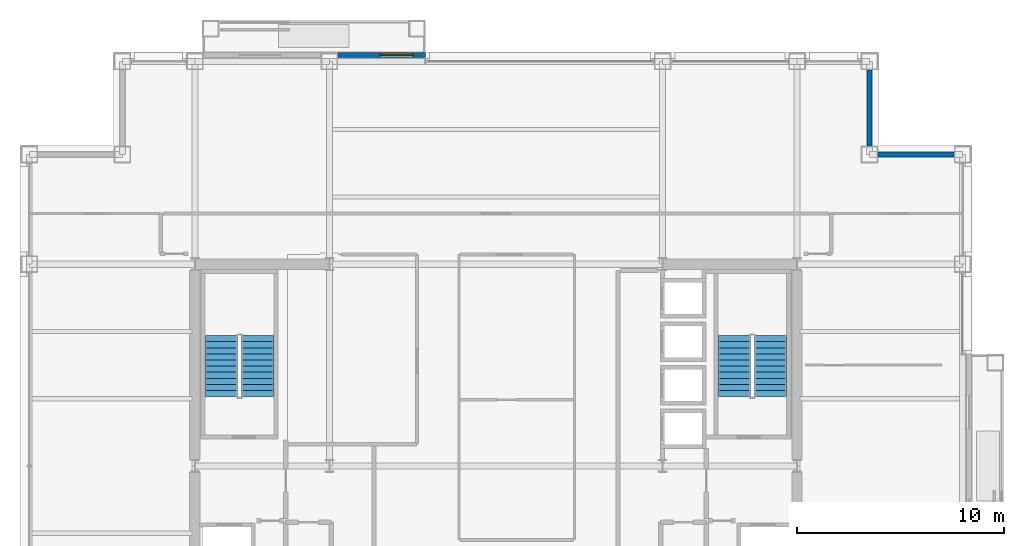
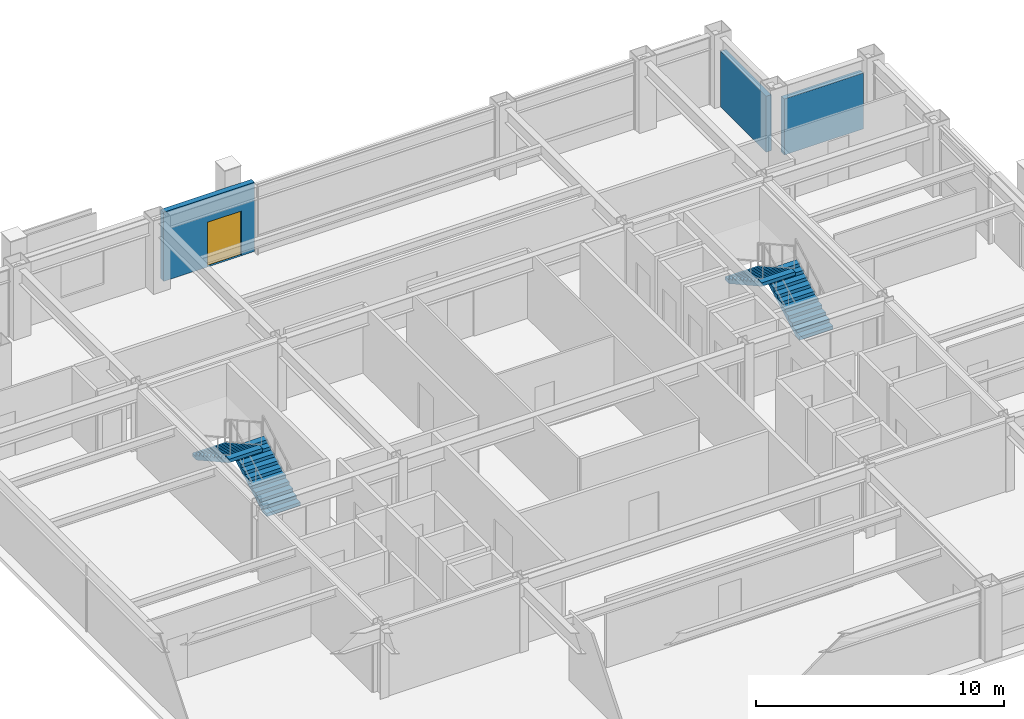
# One storey, part 27 of 29: 4 stair flights, 3 walls, 1 door, 1 opening, 2 elements without a shape of their own.
"""IFC4 building model written with IfcOpenShell, lengths in metres."""

from ifc_helpers import new_model, si_unit, direction, frame, frame_2d, origin, place, context, subcontext, project, spatial, polyline, rectangle, outline, extrude, material, layer, layer_set, type_object, element, fill, aggregate, save


model = new_model("IFC4")

# Units and contexts
model_context = context("Model", 3, precision=1e-05, world=origin(), true_north=direction((0.0, 1.0)))
body_context = subcontext(model_context, "Body", "Model", "MODEL_VIEW")
ifc_project = project(units=[si_unit("LENGTHUNIT", "METRE"), si_unit("AREAUNIT", "SQUARE_METRE"), si_unit("VOLUMEUNIT", "CUBIC_METRE"), si_unit("PLANEANGLEUNIT", "RADIAN"), si_unit("MASSUNIT", "GRAM", prefix="KILO")], contexts=[model_context])

# Site, building, storey
site_placement = place(None, origin())
site = spatial("IfcSite", under=ifc_project, at=site_placement, CompositionType="ELEMENT")
building_placement = place(site_placement, origin())
building = spatial("IfcBuilding", under=site, at=building_placement, Name="Brelmoor Portico Tower", CompositionType="ELEMENT")
storey_placement = place(building_placement, frame((0.0, 0.0, 127.800048828125)))
storey = spatial("IfcBuildingStorey", under=building, at=storey_placement, Name="L33", CompositionType="ELEMENT", Elevation=127.800048828125)

# Wall, opening, door
ifc_material_1 = material(Name="Precast Concrete C40 Insulated Facade Wall", Category="concrete")
ifc_layer = layer(ifc_material_1, 0.25)
ifc_layer_set = layer_set([ifc_layer], Name="Precast Concrete C40 Insulated Facade Wall")
wall_type = type_object("IfcWallType", Name="WL-EXT-250", PredefinedType="STANDARD", material=ifc_layer_set)
wall_placement = place(storey_placement, frame((-7.6298828125, 19.860107421875, 0.0), z_axis=(0.0, 0.0, 1.0), x_axis=(1.0, 0.0, 0.0)))
wall = element("IfcWall", 1, at=wall_placement, inside=storey, type_object=wall_type, Name="L33 Loggia Threshold Wall N-2", PredefinedType="STANDARD", context=body_context, shape_type="SweptSolid", body=[
    extrude(rectangle(XDim=4.22998046875, YDim=0.25, at=frame_2d((2.114990234375, 0.0))), origin(), (0.0, 0.0, 1.0), 3.39990234375),
])
opening_placement = place(wall_placement, frame((2.030029296875, 0.0, 0.0)))
opening = element("IfcOpeningElement", 2, at=opening_placement, cuts=wall, Name="Opening D-TB1", PredefinedType="OPENING", context=body_context, shape_type="SweptSolid", body=[
    extrude(rectangle(XDim=1.60009765625, YDim=2.199951171875, at=frame_2d((0.800048828125, 1.10009765625))), frame((0.0, 0.135009765625, 0.0), z_axis=(0.0, -1.0, 0.0), x_axis=(1.0, 0.0, 0.0)), (0.0, 0.0, 1.0), 0.27001953125),
])
ifc_material_2 = material(Name="Double-Leaf Thermally Broken Terrace Door", Category="aluminium")
door_type = type_object("IfcDoorType", Name="DR-BALCONY-1600", OperationType="NOTDEFINED", PredefinedType="DOOR", material=ifc_material_2)
door_placement = place(opening_placement, origin())
door = element("IfcDoor", 3, at=door_placement, inside=storey, type_object=door_type, Name="D-1460 L33 Tree Balcony Double Door N", OperationType="DOUBLE_DOOR_SINGLE_SWING", OverallHeight=2.199951171875, OverallWidth=1.60009765625, PredefinedType="DOOR", context=body_context, shape_type="SweptSolid", body=[
    extrude(rectangle(XDim=1.60009765625, YDim=2.199951171875, at=frame_2d((0.800048828125, 1.10009765625))), frame((0.0, 0.02490234375, 0.0), z_axis=(0.0, -1.0, 0.0), x_axis=(1.0, 0.0, 0.0)), (0.0, 0.0, 1.0), 0.050048828125),
])
fill(opening, door)

# Walls
for number, where, z_axis, x_axis, name in (
    (4, (18.4599609375, 15.050048828125, 0.0), (0.0, 0.0, 1.0), (1.0, 0.0, 0.0), "L33 Corner Notch Facade Wall NNEH1"),
    (5, (18.050048828125, 15.4599609375, 0.0), (0.0, 0.0, 1.0), (0.0, 1.0, 0.0), "L33 Corner Notch Facade Wall NNEV1"),
):
    element("IfcWall", number, at=place(storey_placement, frame(where, z_axis=z_axis, x_axis=x_axis)), inside=storey, type_object=wall_type, Name=name, PredefinedType="STANDARD", context=body_context, shape_type="SweptSolid", body=[
        extrude(rectangle(XDim=3.679931640625, YDim=0.25, at=frame_2d((1.83984375, 0.0))), origin(), (0.0, 0.0, 1.0), 2.75),
    ])

# Stair, stair flights
ifc_material_3 = material(Name="Concrete C40", Category="concrete")
stair_type_1 = type_object("IfcStairType", Name="ST-CORE-W", PredefinedType="HALF_TURN_STAIR", material=ifc_material_3)
stair_1_placement = place(storey_placement, origin())
stair_1 = element("IfcStair", 6, at=stair_1_placement, inside=storey, type_object=stair_type_1, Name="L33 Protected Core Exit Stair ST-W", PredefinedType="HALF_TURN_STAIR")
stair_flight_type = type_object("IfcStairFlightType", Name="SF-CORE-1850", PredefinedType="STRAIGHT", material=ifc_material_3)
stair_flight_1_placement = place(storey_placement, frame((-11.510009765625, 3.35009765625, 0.0), z_axis=(0.0, 0.0, 1.0), x_axis=(0.0, 1.0, 0.0)))
stair_flight_1 = element("IfcStairFlight", 7, at=stair_flight_1_placement, type_object=stair_flight_type, Name="ST-W flight 1", NumberOfRisers=11, NumberOfTreads=10, PredefinedType="STRAIGHT", RiserHeight=0.163636364, TreadLength=0.295, context=body_context, shape_type="SweptSolid", body=[
    extrude(outline(polyline([(0.0, 0.0), (0.0, 0.16357421875), (0.294921875, 0.16357421875), (0.294921875, 0.327392578125), (0.590087890625, 0.327392578125), (0.590087890625, 0.490966796875), (0.885009765625, 0.490966796875), (0.885009765625, 0.654541015625), (1.179931640625, 0.654541015625), (1.179931640625, 0.818115234375), (1.47509765625, 0.818115234375), (1.47509765625, 0.98193359375), (1.77001953125, 0.98193359375), (1.77001953125, 1.1455078125), (2.06494140625, 1.1455078125), (2.06494140625, 1.30908203125), (2.360107421875, 1.30908203125), (2.360107421875, 1.47265625), (2.655029296875, 1.47265625), (2.655029296875, 1.636474609375), (2.949951171875, 1.636474609375), (2.949951171875, 1.800048828125), (2.949951171875, 1.46484375), (0.30908203125, 0.0), (0.0, 0.0)])), frame((0.0, 0.780029296875, 0.0), z_axis=(0.0, -1.0, 0.0), x_axis=(1.0, 0.0, 0.0)), (0.0, 0.0, 1.0), 1.56005859375),
])
stair_flight_2_placement = place(storey_placement, frame((-13.27001953125, 6.300048828125, 1.800048828125), z_axis=(0.0, 0.0, 1.0), x_axis=(0.0, -1.0, 0.0)))
stair_flight_2 = element("IfcStairFlight", 8, at=stair_flight_2_placement, type_object=stair_flight_type, Name="ST-W flight 2", NumberOfRisers=11, NumberOfTreads=10, PredefinedType="STRAIGHT", RiserHeight=0.163636364, TreadLength=0.295, context=body_context, shape_type="SweptSolid", body=[
    extrude(outline(polyline([(0.0, 0.0), (0.0, 0.16357421875), (0.294921875, 0.16357421875), (0.294921875, 0.327392578125), (0.590087890625, 0.327392578125), (0.590087890625, 0.490966796875), (0.885009765625, 0.490966796875), (0.885009765625, 0.654541015625), (1.179931640625, 0.654541015625), (1.179931640625, 0.818115234375), (1.47509765625, 0.818115234375), (1.47509765625, 0.98193359375), (1.77001953125, 0.98193359375), (1.77001953125, 1.1455078125), (2.06494140625, 1.1455078125), (2.06494140625, 1.30908203125), (2.360107421875, 1.30908203125), (2.360107421875, 1.47265625), (2.655029296875, 1.47265625), (2.655029296875, 1.636474609375), (2.949951171875, 1.636474609375), (2.949951171875, 1.800048828125), (2.949951171875, 1.46484375), (0.30908203125, 0.0), (0.0, 0.0)])), frame((0.0, 0.780029296875, 0.0), z_axis=(0.0, -1.0, 0.0), x_axis=(1.0, 0.0, 0.0)), (0.0, 0.0, 1.0), 1.56005859375),
])
aggregate(stair_1, [stair_flight_1, stair_flight_2])

stair_type_2 = type_object("IfcStairType", Name="ST-CORE-E", PredefinedType="HALF_TURN_STAIR", material=ifc_material_3)
stair_2_placement = place(storey_placement, origin())
stair_2 = element("IfcStair", 9, at=stair_2_placement, inside=storey, type_object=stair_type_2, Name="L33 Protected Core Exit Stair ST-E", PredefinedType="HALF_TURN_STAIR")
stair_flight_3_placement = place(storey_placement, frame((13.27001953125, 3.35009765625, 0.0), z_axis=(0.0, 0.0, 1.0), x_axis=(0.0, 1.0, 0.0)))
stair_flight_3 = element("IfcStairFlight", 10, at=stair_flight_3_placement, type_object=stair_flight_type, Name="ST-E flight 1", NumberOfRisers=11, NumberOfTreads=10, PredefinedType="STRAIGHT", RiserHeight=0.163636364, TreadLength=0.295, context=body_context, shape_type="SweptSolid", body=[
    extrude(outline(polyline([(0.0, 0.0), (0.0, 0.16357421875), (0.294921875, 0.16357421875), (0.294921875, 0.327392578125), (0.590087890625, 0.327392578125), (0.590087890625, 0.490966796875), (0.885009765625, 0.490966796875), (0.885009765625, 0.654541015625), (1.179931640625, 0.654541015625), (1.179931640625, 0.818115234375), (1.47509765625, 0.818115234375), (1.47509765625, 0.98193359375), (1.77001953125, 0.98193359375), (1.77001953125, 1.1455078125), (2.06494140625, 1.1455078125), (2.06494140625, 1.30908203125), (2.360107421875, 1.30908203125), (2.360107421875, 1.47265625), (2.655029296875, 1.47265625), (2.655029296875, 1.636474609375), (2.949951171875, 1.636474609375), (2.949951171875, 1.800048828125), (2.949951171875, 1.46484375), (0.30908203125, 0.0), (0.0, 0.0)])), frame((0.0, 0.780029296875, 0.0), z_axis=(0.0, -1.0, 0.0), x_axis=(1.0, 0.0, 0.0)), (0.0, 0.0, 1.0), 1.56005859375),
])
stair_flight_4_placement = place(storey_placement, frame((11.510009765625, 6.300048828125, 1.800048828125), z_axis=(0.0, 0.0, 1.0), x_axis=(0.0, -1.0, 0.0)))
stair_flight_4 = element("IfcStairFlight", 11, at=stair_flight_4_placement, type_object=stair_flight_type, Name="ST-E flight 2", NumberOfRisers=11, NumberOfTreads=10, PredefinedType="STRAIGHT", RiserHeight=0.163636364, TreadLength=0.295, context=body_context, shape_type="SweptSolid", body=[
    extrude(outline(polyline([(0.0, 0.0), (0.0, 0.16357421875), (0.294921875, 0.16357421875), (0.294921875, 0.327392578125), (0.590087890625, 0.327392578125), (0.590087890625, 0.490966796875), (0.885009765625, 0.490966796875), (0.885009765625, 0.654541015625), (1.179931640625, 0.654541015625), (1.179931640625, 0.818115234375), (1.47509765625, 0.818115234375), (1.47509765625, 0.98193359375), (1.77001953125, 0.98193359375), (1.77001953125, 1.1455078125), (2.06494140625, 1.1455078125), (2.06494140625, 1.30908203125), (2.360107421875, 1.30908203125), (2.360107421875, 1.47265625), (2.655029296875, 1.47265625), (2.655029296875, 1.636474609375), (2.949951171875, 1.636474609375), (2.949951171875, 1.800048828125), (2.949951171875, 1.46484375), (0.30908203125, 0.0), (0.0, 0.0)])), frame((0.0, 0.780029296875, 0.0), z_axis=(0.0, -1.0, 0.0), x_axis=(1.0, 0.0, 0.0)), (0.0, 0.0, 1.0), 1.56005859375),
])
aggregate(stair_2, [stair_flight_3, stair_flight_4])

save(model, "model.ifc")
